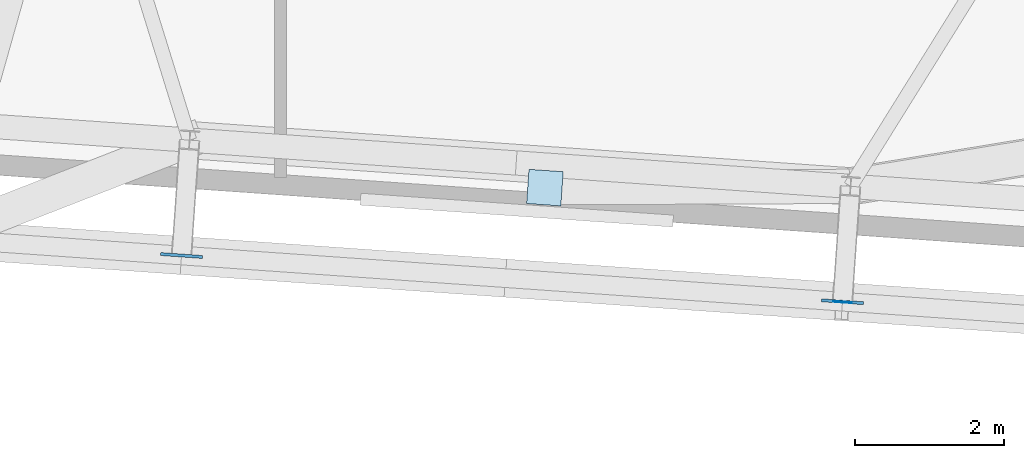
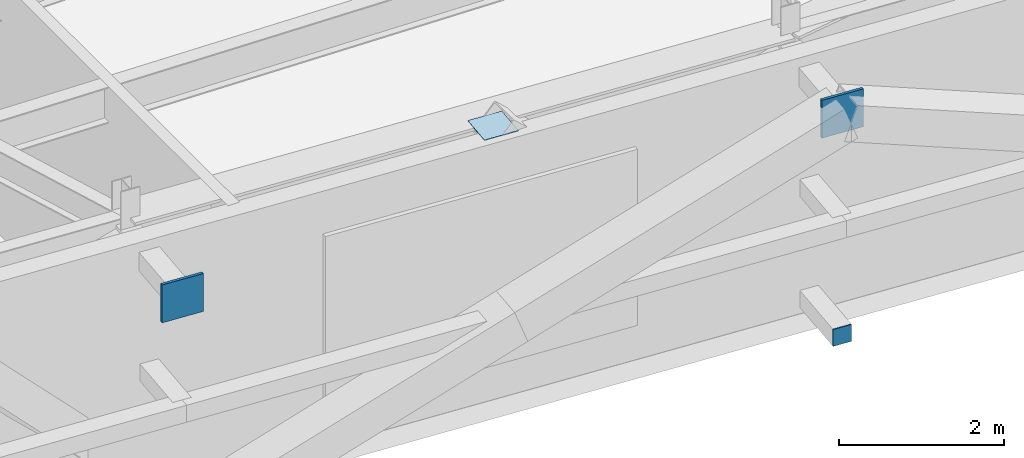
# One storey, part 14 of 24: 4 plates.
"""IFC4 building model written with IfcOpenShell, lengths in metres."""

from ifc_helpers import new_model, si_unit, direction, frame, origin, origin_2d, place, context, subcontext, project, spatial, rectangle, extrude, source, transform, mapped, material, layer, layer_set, type_object, element, save


model = new_model("IFC4")

# Units and contexts
model_context = context("Model", 3, precision=1e-05, world=origin(), true_north=direction((0.0, 1.0)))
body_context = subcontext(model_context, "Body", "Model", "MODEL_VIEW")
ifc_project = project(units=[si_unit("LENGTHUNIT", "METRE"), si_unit("AREAUNIT", "SQUARE_METRE"), si_unit("VOLUMEUNIT", "CUBIC_METRE"), si_unit("PLANEANGLEUNIT", "RADIAN"), si_unit("MASSUNIT", "GRAM", prefix="KILO")], contexts=[model_context])

# Site, building, storey
site_placement = place(None, origin())
site = spatial("IfcSite", under=ifc_project, at=site_placement, CompositionType="ELEMENT")
building_placement = place(site_placement, origin())
building = spatial("IfcBuilding", under=site, at=building_placement, Name="Taldren Reach Tower", CompositionType="ELEMENT")
storey_placement = place(building_placement, frame((0.0, 0.0, 164.5)))
storey = spatial("IfcBuildingStorey", under=building, at=storey_placement, Name="L50", CompositionType="ELEMENT", Elevation=164.5)

# Plates
ifc_material_1 = material(Name="Steel Gr 450 (C450L0)", Category="steel")
ifc_layer_1 = layer(ifc_material_1, 0.0400390625)
ifc_layer_set_1 = layer_set([ifc_layer_1], Name="Steel Gr 450 (C450L0)")
plate_type_1 = type_object("IfcPlateType", Name="PL-GUSSET-40", PredefinedType="SHEET", material=ifc_layer_set_1)
shared_shape_1 = source(origin(), body_context, "Body", "SweptSolid", [
    extrude(rectangle(XDim=0.56005859375, YDim=0.0400390625, at=origin_2d()), origin(), (0.0, 0.0, 1.0), 0.56005859375),
])
for number, where, z_axis, x_axis, name in (
    (1, (29.47216796875, 2.55322265625, 3.219970703125), (0.0, 0.0, 1.0), (0.99756405026, -0.069756473744, 0.0), "Exoskeleton star-node gusset plate B3-S3 L50"),
    (2, (38.33056640625, 1.933837890625, 3.219970703125), (0.0, 0.0, 1.0), (0.99756405026, -0.069756473744, 0.0), "Exoskeleton star-node gusset plate B3-S4 L50"),
):
    element("IfcPlate", number, at=place(storey_placement, frame(where, z_axis=z_axis, x_axis=x_axis)), inside=storey, type_object=plate_type_1, Name=name, PredefinedType="SHEET", context=body_context, shape_type="MappedRepresentation", body=[
        mapped(shared_shape_1, transform((0.0, 0.0, 0.0), scale=1.0)),
    ])
ifc_material_2 = material(Name="Steel Gr 350 (C350L0)", Category="steel")
ifc_layer_2 = layer(ifc_material_2, 0.011962890625)
ifc_layer_set_2 = layer_set([ifc_layer_2], Name="Steel Gr 350 (C350L0)")
plate_type_2 = type_object("IfcPlateType", Name="PL-CAP-250", PredefinedType="SHEET", material=ifc_layer_set_2)
shared_shape_2 = source(origin(), body_context, "Body", "SweptSolid", [
    extrude(rectangle(XDim=0.25, YDim=0.011962890625, at=origin_2d()), origin(), (0.0, 0.0, 1.0), 0.25),
])
plate_1_placement = place(storey_placement, frame((38.330078125, 1.927978515625, 0.094970703125), z_axis=(0.0, 0.0, 1.0), x_axis=(0.99756405026, -0.069756473744, 0.0)))
element("IfcPlate", 3, at=plate_1_placement, inside=storey, type_object=plate_type_2, Name="Tie strut end cap plate B3-S4 L50", PredefinedType="SHEET", context=body_context, shape_type="MappedRepresentation", body=[
    mapped(shared_shape_2, transform((0.0, 0.0, 0.0), scale=1.0)),
])
ifc_layer_3 = layer(ifc_material_1, 0.011962890625)
ifc_layer_set_3 = layer_set([ifc_layer_3], Name="Steel Gr 450 (C450L0)")
plate_type_3 = type_object("IfcPlateType", Name="PL-CAP-460", PredefinedType="SHEET", material=ifc_layer_set_3)
shared_shape_3 = source(origin(), body_context, "Body", "SweptSolid", [
    extrude(rectangle(XDim=0.4599609375, YDim=0.4599609375, at=origin_2d()), origin(), (0.0, 0.0, 1.0), 0.011962890625),
])
plate_2_placement = place(storey_placement, frame((34.34228515625, 3.462890625, 3.76806640625), z_axis=(0.0, 0.0, 1.0), x_axis=(0.99756405026, -0.069756473744, 0.0)))
element("IfcPlate", 4, at=plate_2_placement, inside=storey, type_object=plate_type_3, Name="Transfer strut end cap plate TS-B4-S3 L50", PredefinedType="SHEET", context=body_context, shape_type="MappedRepresentation", body=[
    mapped(shared_shape_3, transform((0.0, 0.0, 0.0), scale=1.0)),
])

save(model, "model.ifc")
